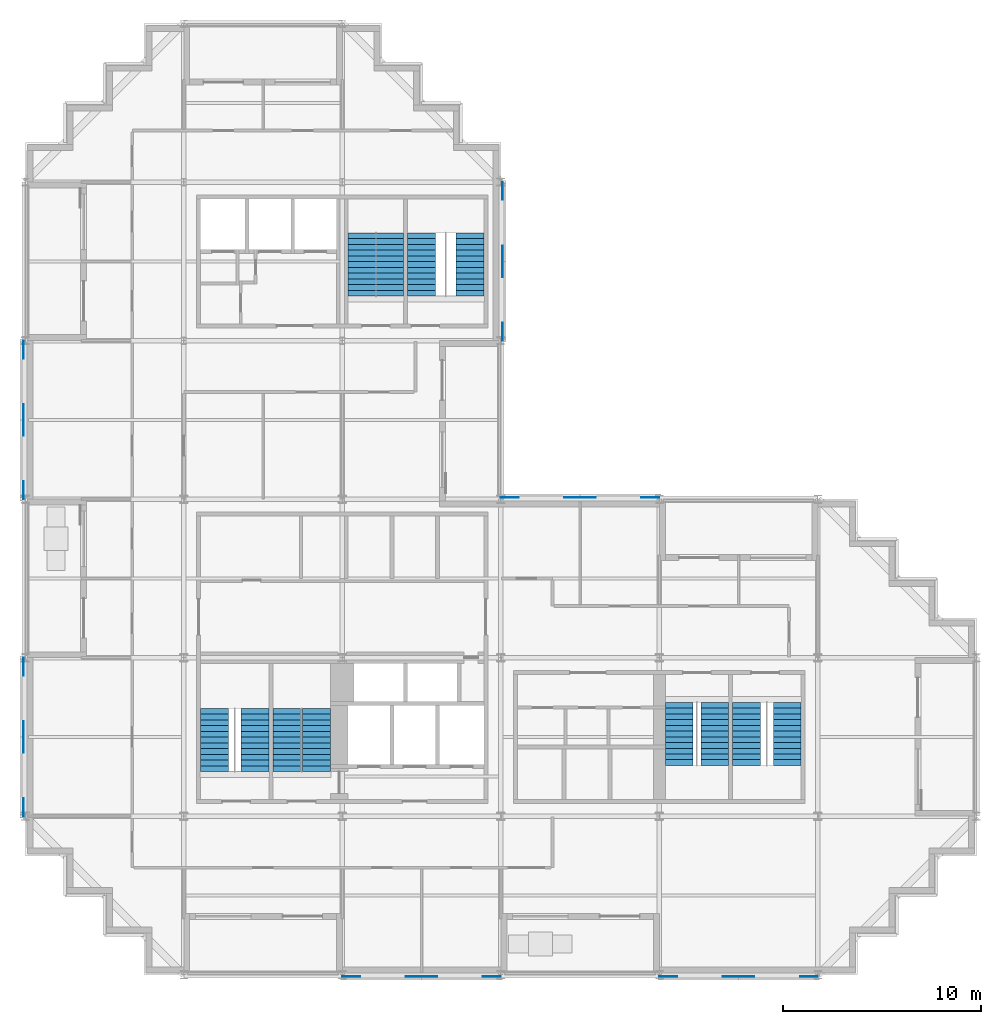
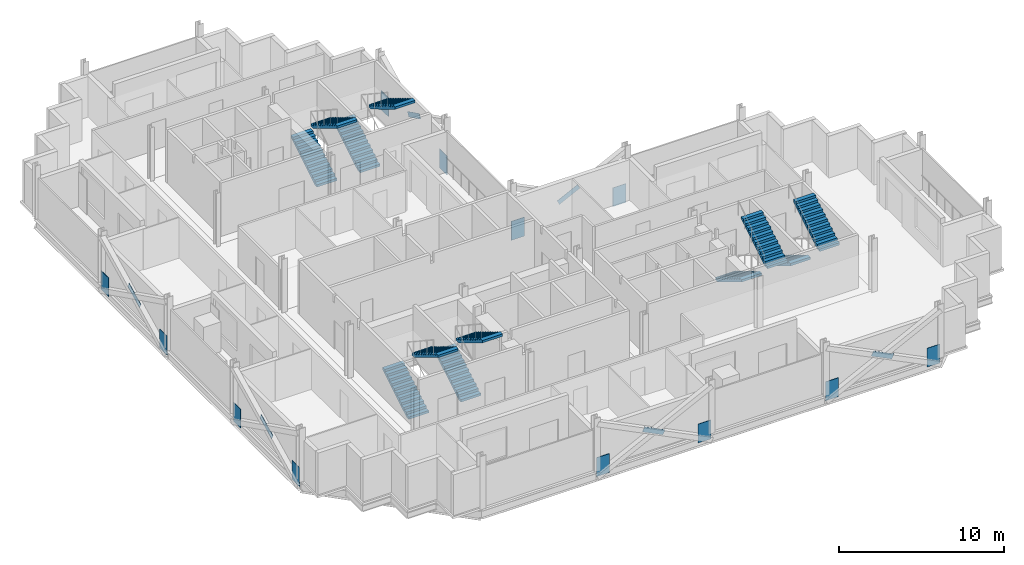
# One storey, part 9 of 12: 18 discrete accessories, 12 stair flights, 6 elements without a shape of their own.
"""IFC4 building model written with IfcOpenShell, lengths in metres."""

from ifc_helpers import new_model, si_unit, direction, frame, origin, origin_2d, place, context, subcontext, project, spatial, polyline, rectangle, outline, extrude, material, material_profile, profile_set, type_object, element, aggregate, save


model = new_model("IFC4")

# Units and contexts
model_context = context("Model", 3, precision=1e-05, world=origin(), true_north=direction((0.0, 1.0)))
body_context = subcontext(model_context, "Body", "Model", "MODEL_VIEW")
ifc_project = project(units=[si_unit("LENGTHUNIT", "METRE"), si_unit("AREAUNIT", "SQUARE_METRE"), si_unit("VOLUMEUNIT", "CUBIC_METRE"), si_unit("PLANEANGLEUNIT", "RADIAN"), si_unit("MASSUNIT", "GRAM", prefix="KILO")], contexts=[model_context])

# Site, building, storey
site_placement = place(None, origin())
site = spatial("IfcSite", under=ifc_project, at=site_placement, CompositionType="ELEMENT")
building_placement = place(site_placement, origin())
building = spatial("IfcBuilding", under=site, at=building_placement, Name="Immortelle Media Tower", CompositionType="ELEMENT")
storey_placement = place(building_placement, frame((0.0, 0.0, 178.800048828125)))
storey = spatial("IfcBuildingStorey", under=building, at=storey_placement, Name="L37", CompositionType="ELEMENT", Elevation=178.800048828125)

# Stair, stair flights
ifc_material_1 = material(Name="Steel ASTM A992 Gr 50", Category="steel")
stair_type = type_object("IfcStairType", Name="Stair with flights", PredefinedType="DOUBLE_RETURN_STAIR", material=ifc_material_1)
stair_1_placement = place(storey_placement, origin())
stair_1 = element("IfcStair", 1, at=stair_1_placement, inside=storey, type_object=stair_type, Name="Exit stair SW1", PredefinedType="DOUBLE_RETURN_STAIR")
stair_flight_type = type_object("IfcStairFlightType", Name="Stair flight 1400", PredefinedType="STRAIGHT", material=ifc_material_1)
stair_flight_1_placement = place(storey_placement, frame((9.550048828125, 10.25, 0.0), z_axis=(0.0, 0.0, 1.0), x_axis=(0.0, 1.0, 0.0)))
stair_flight_1 = element("IfcStairFlight", 2, at=stair_flight_1_placement, type_object=stair_flight_type, Name="ST SW1 flight 1", NumberOfRisers=12, NumberOfTreads=11, PredefinedType="STRAIGHT", RiserHeight=0.175, TreadLength=0.29, context=body_context, shape_type="SweptSolid", body=[
    extrude(outline(polyline([(0.0, 0.0), (0.0, 0.175048828125), (0.2900390625, 0.175048828125), (0.2900390625, 0.35009765625), (0.580078125, 0.35009765625), (0.580078125, 0.52490234375), (0.8701171875, 0.52490234375), (0.8701171875, 0.699951171875), (1.159912109375, 0.699951171875), (1.159912109375, 0.875), (1.449951171875, 0.875), (1.449951171875, 1.050048828125), (1.739990234375, 1.050048828125), (1.739990234375, 1.22509765625), (2.030029296875, 1.22509765625), (2.030029296875, 1.39990234375), (2.320068359375, 1.39990234375), (2.320068359375, 1.574951171875), (2.610107421875, 1.574951171875), (2.610107421875, 1.75), (2.89990234375, 1.75), (2.89990234375, 1.925048828125), (3.18994140625, 1.925048828125), (3.18994140625, 2.10009765625), (3.18994140625, 1.75), (0.2900390625, 0.0), (0.0, 0.0)])), frame((0.0, 0.699951171875, 0.0), z_axis=(0.0, -1.0, 0.0), x_axis=(1.0, 0.0, 0.0)), (0.0, 0.0, 1.0), 1.39990234375),
])
stair_flight_2_placement = place(storey_placement, frame((11.60009765625, 13.43994140625, 2.099853515625), z_axis=(0.0, 0.0, 1.0), x_axis=(0.0, -1.0, 0.0)))
stair_flight_2 = element("IfcStairFlight", 3, at=stair_flight_2_placement, type_object=stair_flight_type, Name="ST SW1 flight 2", NumberOfRisers=12, NumberOfTreads=11, PredefinedType="STRAIGHT", RiserHeight=0.175, TreadLength=0.29, context=body_context, shape_type="SweptSolid", body=[
    extrude(outline(polyline([(0.0, 0.0), (0.0, 0.175048828125), (0.2900390625, 0.175048828125), (0.2900390625, 0.35009765625), (0.580078125, 0.35009765625), (0.580078125, 0.52490234375), (0.8701171875, 0.52490234375), (0.8701171875, 0.699951171875), (1.159912109375, 0.699951171875), (1.159912109375, 0.875), (1.449951171875, 0.875), (1.449951171875, 1.050048828125), (1.739990234375, 1.050048828125), (1.739990234375, 1.22509765625), (2.030029296875, 1.22509765625), (2.030029296875, 1.39990234375), (2.320068359375, 1.39990234375), (2.320068359375, 1.574951171875), (2.610107421875, 1.574951171875), (2.610107421875, 1.75), (2.89990234375, 1.75), (2.89990234375, 1.925048828125), (3.18994140625, 1.925048828125), (3.18994140625, 2.10009765625), (3.18994140625, 1.75), (0.2900390625, 0.0), (0.0, 0.0)])), frame((0.0, 0.699951171875, 0.0), z_axis=(0.0, -1.0, 0.0), x_axis=(1.0, 0.0, 0.0)), (0.0, 0.0, 1.0), 1.39990234375),
])
aggregate(stair_1, [stair_flight_1, stair_flight_2])

stair_2_placement = place(storey_placement, origin())
stair_2 = element("IfcStair", 4, at=stair_2_placement, inside=storey, type_object=stair_type, Name="Exit stair SW2", PredefinedType="DOUBLE_RETURN_STAIR")
stair_flight_3_placement = place(storey_placement, frame((13.199951171875, 10.25, 0.0), z_axis=(0.0, 0.0, 1.0), x_axis=(0.0, 1.0, 0.0)))
stair_flight_3 = element("IfcStairFlight", 5, at=stair_flight_3_placement, type_object=stair_flight_type, Name="ST SW2 flight 1", NumberOfRisers=12, NumberOfTreads=11, PredefinedType="STRAIGHT", RiserHeight=0.175, TreadLength=0.29, context=body_context, shape_type="SweptSolid", body=[
    extrude(outline(polyline([(0.0, 0.0), (0.0, 0.175048828125), (0.2900390625, 0.175048828125), (0.2900390625, 0.35009765625), (0.580078125, 0.35009765625), (0.580078125, 0.52490234375), (0.8701171875, 0.52490234375), (0.8701171875, 0.699951171875), (1.159912109375, 0.699951171875), (1.159912109375, 0.875), (1.449951171875, 0.875), (1.449951171875, 1.050048828125), (1.739990234375, 1.050048828125), (1.739990234375, 1.22509765625), (2.030029296875, 1.22509765625), (2.030029296875, 1.39990234375), (2.320068359375, 1.39990234375), (2.320068359375, 1.574951171875), (2.610107421875, 1.574951171875), (2.610107421875, 1.75), (2.89990234375, 1.75), (2.89990234375, 1.925048828125), (3.18994140625, 1.925048828125), (3.18994140625, 2.10009765625), (3.18994140625, 1.75), (0.2900390625, 0.0), (0.0, 0.0)])), frame((0.0, 0.699951171875, 0.0), z_axis=(0.0, -1.0, 0.0), x_axis=(1.0, 0.0, 0.0)), (0.0, 0.0, 1.0), 1.39990234375),
])
stair_flight_4_placement = place(storey_placement, frame((14.699951171875, 13.43994140625, 2.099853515625), z_axis=(0.0, 0.0, 1.0), x_axis=(0.0, -1.0, 0.0)))
stair_flight_4 = element("IfcStairFlight", 6, at=stair_flight_4_placement, type_object=stair_flight_type, Name="ST SW2 flight 2", NumberOfRisers=12, NumberOfTreads=11, PredefinedType="STRAIGHT", RiserHeight=0.175, TreadLength=0.29, context=body_context, shape_type="SweptSolid", body=[
    extrude(outline(polyline([(0.0, 0.0), (0.0, 0.175048828125), (0.2900390625, 0.175048828125), (0.2900390625, 0.35009765625), (0.580078125, 0.35009765625), (0.580078125, 0.52490234375), (0.8701171875, 0.52490234375), (0.8701171875, 0.699951171875), (1.159912109375, 0.699951171875), (1.159912109375, 0.875), (1.449951171875, 0.875), (1.449951171875, 1.050048828125), (1.739990234375, 1.050048828125), (1.739990234375, 1.22509765625), (2.030029296875, 1.22509765625), (2.030029296875, 1.39990234375), (2.320068359375, 1.39990234375), (2.320068359375, 1.574951171875), (2.610107421875, 1.574951171875), (2.610107421875, 1.75), (2.89990234375, 1.75), (2.89990234375, 1.925048828125), (3.18994140625, 1.925048828125), (3.18994140625, 2.10009765625), (3.18994140625, 1.75), (0.2900390625, 0.0), (0.0, 0.0)])), frame((0.0, 0.699951171875, 0.0), z_axis=(0.0, -1.0, 0.0), x_axis=(1.0, 0.0, 0.0)), (0.0, 0.0, 1.0), 1.39990234375),
])
aggregate(stair_2, [stair_flight_3, stair_flight_4])

stair_3_placement = place(storey_placement, origin())
stair_3 = element("IfcStair", 7, at=stair_3_placement, inside=storey, type_object=stair_type, Name="Exit stair SE1", PredefinedType="DOUBLE_RETURN_STAIR")
stair_flight_5_placement = place(storey_placement, frame((33.0, 13.75, 0.0), z_axis=(0.0, 0.0, 1.0), x_axis=(0.0, -1.0, 0.0)))
stair_flight_5 = element("IfcStairFlight", 8, at=stair_flight_5_placement, type_object=stair_flight_type, Name="ST SE1 flight 1", NumberOfRisers=12, NumberOfTreads=11, PredefinedType="STRAIGHT", RiserHeight=0.175, TreadLength=0.29, context=body_context, shape_type="SweptSolid", body=[
    extrude(outline(polyline([(0.0, 0.0), (0.0, 0.175048828125), (0.2900390625, 0.175048828125), (0.2900390625, 0.35009765625), (0.580078125, 0.35009765625), (0.580078125, 0.52490234375), (0.8701171875, 0.52490234375), (0.8701171875, 0.699951171875), (1.159912109375, 0.699951171875), (1.159912109375, 0.875), (1.449951171875, 0.875), (1.449951171875, 1.050048828125), (1.739990234375, 1.050048828125), (1.739990234375, 1.22509765625), (2.030029296875, 1.22509765625), (2.030029296875, 1.39990234375), (2.320068359375, 1.39990234375), (2.320068359375, 1.574951171875), (2.610107421875, 1.574951171875), (2.610107421875, 1.75), (2.89990234375, 1.75), (2.89990234375, 1.925048828125), (3.18994140625, 1.925048828125), (3.18994140625, 2.10009765625), (3.18994140625, 1.75), (0.2900390625, 0.0), (0.0, 0.0)])), frame((0.0, 0.699951171875, 0.0), z_axis=(0.0, -1.0, 0.0), x_axis=(1.0, 0.0, 0.0)), (0.0, 0.0, 1.0), 1.39990234375),
])
stair_flight_6_placement = place(storey_placement, frame((34.800048828125, 10.56005859375, 2.099853515625), z_axis=(0.0, 0.0, 1.0), x_axis=(0.0, 1.0, 0.0)))
stair_flight_6 = element("IfcStairFlight", 9, at=stair_flight_6_placement, type_object=stair_flight_type, Name="ST SE1 flight 2", NumberOfRisers=12, NumberOfTreads=11, PredefinedType="STRAIGHT", RiserHeight=0.175, TreadLength=0.29, context=body_context, shape_type="SweptSolid", body=[
    extrude(outline(polyline([(0.0, 0.0), (0.0, 0.175048828125), (0.2900390625, 0.175048828125), (0.2900390625, 0.35009765625), (0.580078125, 0.35009765625), (0.580078125, 0.52490234375), (0.8701171875, 0.52490234375), (0.8701171875, 0.699951171875), (1.159912109375, 0.699951171875), (1.159912109375, 0.875), (1.449951171875, 0.875), (1.449951171875, 1.050048828125), (1.739990234375, 1.050048828125), (1.739990234375, 1.22509765625), (2.030029296875, 1.22509765625), (2.030029296875, 1.39990234375), (2.320068359375, 1.39990234375), (2.320068359375, 1.574951171875), (2.610107421875, 1.574951171875), (2.610107421875, 1.75), (2.89990234375, 1.75), (2.89990234375, 1.925048828125), (3.18994140625, 1.925048828125), (3.18994140625, 2.10009765625), (3.18994140625, 1.75), (0.2900390625, 0.0), (0.0, 0.0)])), frame((0.0, 0.699951171875, 0.0), z_axis=(0.0, -1.0, 0.0), x_axis=(1.0, 0.0, 0.0)), (0.0, 0.0, 1.0), 1.39990234375),
])
aggregate(stair_3, [stair_flight_5, stair_flight_6])

stair_4_placement = place(storey_placement, origin())
stair_4 = element("IfcStair", 10, at=stair_4_placement, inside=storey, type_object=stair_type, Name="Exit stair SE2", PredefinedType="DOUBLE_RETURN_STAIR")
stair_flight_7_placement = place(storey_placement, frame((36.39990234375, 13.75, 0.0), z_axis=(0.0, 0.0, 1.0), x_axis=(0.0, -1.0, 0.0)))
stair_flight_7 = element("IfcStairFlight", 11, at=stair_flight_7_placement, type_object=stair_flight_type, Name="ST SE2 flight 1", NumberOfRisers=12, NumberOfTreads=11, PredefinedType="STRAIGHT", RiserHeight=0.175, TreadLength=0.29, context=body_context, shape_type="SweptSolid", body=[
    extrude(outline(polyline([(0.0, 0.0), (0.0, 0.175048828125), (0.2900390625, 0.175048828125), (0.2900390625, 0.35009765625), (0.580078125, 0.35009765625), (0.580078125, 0.52490234375), (0.8701171875, 0.52490234375), (0.8701171875, 0.699951171875), (1.159912109375, 0.699951171875), (1.159912109375, 0.875), (1.449951171875, 0.875), (1.449951171875, 1.050048828125), (1.739990234375, 1.050048828125), (1.739990234375, 1.22509765625), (2.030029296875, 1.22509765625), (2.030029296875, 1.39990234375), (2.320068359375, 1.39990234375), (2.320068359375, 1.574951171875), (2.610107421875, 1.574951171875), (2.610107421875, 1.75), (2.89990234375, 1.75), (2.89990234375, 1.925048828125), (3.18994140625, 1.925048828125), (3.18994140625, 2.10009765625), (3.18994140625, 1.75), (0.2900390625, 0.0), (0.0, 0.0)])), frame((0.0, 0.699951171875, 0.0), z_axis=(0.0, -1.0, 0.0), x_axis=(1.0, 0.0, 0.0)), (0.0, 0.0, 1.0), 1.39990234375),
])
stair_flight_8_placement = place(storey_placement, frame((38.449951171875, 10.56005859375, 2.099853515625), z_axis=(0.0, 0.0, 1.0), x_axis=(0.0, 1.0, 0.0)))
stair_flight_8 = element("IfcStairFlight", 12, at=stair_flight_8_placement, type_object=stair_flight_type, Name="ST SE2 flight 2", NumberOfRisers=12, NumberOfTreads=11, PredefinedType="STRAIGHT", RiserHeight=0.175, TreadLength=0.29, context=body_context, shape_type="SweptSolid", body=[
    extrude(outline(polyline([(0.0, 0.0), (0.0, 0.175048828125), (0.2900390625, 0.175048828125), (0.2900390625, 0.35009765625), (0.580078125, 0.35009765625), (0.580078125, 0.52490234375), (0.8701171875, 0.52490234375), (0.8701171875, 0.699951171875), (1.159912109375, 0.699951171875), (1.159912109375, 0.875), (1.449951171875, 0.875), (1.449951171875, 1.050048828125), (1.739990234375, 1.050048828125), (1.739990234375, 1.22509765625), (2.030029296875, 1.22509765625), (2.030029296875, 1.39990234375), (2.320068359375, 1.39990234375), (2.320068359375, 1.574951171875), (2.610107421875, 1.574951171875), (2.610107421875, 1.75), (2.89990234375, 1.75), (2.89990234375, 1.925048828125), (3.18994140625, 1.925048828125), (3.18994140625, 2.10009765625), (3.18994140625, 1.75), (0.2900390625, 0.0), (0.0, 0.0)])), frame((0.0, 0.699951171875, 0.0), z_axis=(0.0, -1.0, 0.0), x_axis=(1.0, 0.0, 0.0)), (0.0, 0.0, 1.0), 1.39990234375),
])
aggregate(stair_4, [stair_flight_7, stair_flight_8])

stair_5_placement = place(storey_placement, origin())
stair_5 = element("IfcStair", 13, at=stair_5_placement, inside=storey, type_object=stair_type, Name="Exit stair NW1", PredefinedType="DOUBLE_RETURN_STAIR")
stair_flight_9_placement = place(storey_placement, frame((17.0, 34.25, 0.0), z_axis=(0.0, 0.0, 1.0), x_axis=(0.0, 1.0, 0.0)))
stair_flight_9 = element("IfcStairFlight", 14, at=stair_flight_9_placement, type_object=stair_flight_type, Name="ST NW1 flight 1", NumberOfRisers=12, NumberOfTreads=11, PredefinedType="STRAIGHT", RiserHeight=0.175, TreadLength=0.29, context=body_context, shape_type="SweptSolid", body=[
    extrude(outline(polyline([(0.0, 0.0), (0.0, 0.175048828125), (0.2900390625, 0.175048828125), (0.2900390625, 0.35009765625), (0.580078125, 0.35009765625), (0.580078125, 0.52490234375), (0.8701171875, 0.52490234375), (0.8701171875, 0.699951171875), (1.159912109375, 0.699951171875), (1.159912109375, 0.875), (1.449951171875, 0.875), (1.449951171875, 1.050048828125), (1.739990234375, 1.050048828125), (1.739990234375, 1.22509765625), (2.030029296875, 1.22509765625), (2.030029296875, 1.39990234375), (2.320068359375, 1.39990234375), (2.320068359375, 1.574951171875), (2.610107421875, 1.574951171875), (2.610107421875, 1.75), (2.89990234375, 1.75), (2.89990234375, 1.925048828125), (3.18994140625, 1.925048828125), (3.18994140625, 2.10009765625), (3.18994140625, 1.75), (0.2900390625, 0.0), (0.0, 0.0)])), frame((0.0, 0.699951171875, 0.0), z_axis=(0.0, -1.0, 0.0), x_axis=(1.0, 0.0, 0.0)), (0.0, 0.0, 1.0), 1.39990234375),
])
stair_flight_10_placement = place(storey_placement, frame((18.39990234375, 37.43994140625, 2.099853515625), z_axis=(0.0, 0.0, 1.0), x_axis=(0.0, -1.0, 0.0)))
stair_flight_10 = element("IfcStairFlight", 15, at=stair_flight_10_placement, type_object=stair_flight_type, Name="ST NW1 flight 2", NumberOfRisers=12, NumberOfTreads=11, PredefinedType="STRAIGHT", RiserHeight=0.175, TreadLength=0.29, context=body_context, shape_type="SweptSolid", body=[
    extrude(outline(polyline([(0.0, 0.0), (0.0, 0.175048828125), (0.2900390625, 0.175048828125), (0.2900390625, 0.35009765625), (0.580078125, 0.35009765625), (0.580078125, 0.52490234375), (0.8701171875, 0.52490234375), (0.8701171875, 0.699951171875), (1.159912109375, 0.699951171875), (1.159912109375, 0.875), (1.449951171875, 0.875), (1.449951171875, 1.050048828125), (1.739990234375, 1.050048828125), (1.739990234375, 1.22509765625), (2.030029296875, 1.22509765625), (2.030029296875, 1.39990234375), (2.320068359375, 1.39990234375), (2.320068359375, 1.574951171875), (2.610107421875, 1.574951171875), (2.610107421875, 1.75), (2.89990234375, 1.75), (2.89990234375, 1.925048828125), (3.18994140625, 1.925048828125), (3.18994140625, 2.10009765625), (3.18994140625, 1.75), (0.2900390625, 0.0), (0.0, 0.0)])), frame((0.0, 0.699951171875, 0.0), z_axis=(0.0, -1.0, 0.0), x_axis=(1.0, 0.0, 0.0)), (0.0, 0.0, 1.0), 1.39990234375),
])
aggregate(stair_5, [stair_flight_9, stair_flight_10])

stair_6_placement = place(storey_placement, origin())
stair_6 = element("IfcStair", 16, at=stair_6_placement, inside=storey, type_object=stair_type, Name="Exit stair NW2", PredefinedType="DOUBLE_RETURN_STAIR")
stair_flight_11_placement = place(storey_placement, frame((20.0, 34.25, 0.0), z_axis=(0.0, 0.0, 1.0), x_axis=(0.0, 1.0, 0.0)))
stair_flight_11 = element("IfcStairFlight", 17, at=stair_flight_11_placement, type_object=stair_flight_type, Name="ST NW2 flight 1", NumberOfRisers=12, NumberOfTreads=11, PredefinedType="STRAIGHT", RiserHeight=0.175, TreadLength=0.29, context=body_context, shape_type="SweptSolid", body=[
    extrude(outline(polyline([(0.0, 0.0), (0.0, 0.175048828125), (0.2900390625, 0.175048828125), (0.2900390625, 0.35009765625), (0.580078125, 0.35009765625), (0.580078125, 0.52490234375), (0.8701171875, 0.52490234375), (0.8701171875, 0.699951171875), (1.159912109375, 0.699951171875), (1.159912109375, 0.875), (1.449951171875, 0.875), (1.449951171875, 1.050048828125), (1.739990234375, 1.050048828125), (1.739990234375, 1.22509765625), (2.030029296875, 1.22509765625), (2.030029296875, 1.39990234375), (2.320068359375, 1.39990234375), (2.320068359375, 1.574951171875), (2.610107421875, 1.574951171875), (2.610107421875, 1.75), (2.89990234375, 1.75), (2.89990234375, 1.925048828125), (3.18994140625, 1.925048828125), (3.18994140625, 2.10009765625), (3.18994140625, 1.75), (0.2900390625, 0.0), (0.0, 0.0)])), frame((0.0, 0.699951171875, 0.0), z_axis=(0.0, -1.0, 0.0), x_axis=(1.0, 0.0, 0.0)), (0.0, 0.0, 1.0), 1.39990234375),
])
stair_flight_12_placement = place(storey_placement, frame((22.449951171875, 37.43994140625, 2.099853515625), z_axis=(0.0, 0.0, 1.0), x_axis=(0.0, -1.0, 0.0)))
stair_flight_12 = element("IfcStairFlight", 18, at=stair_flight_12_placement, type_object=stair_flight_type, Name="ST NW2 flight 2", NumberOfRisers=12, NumberOfTreads=11, PredefinedType="STRAIGHT", RiserHeight=0.175, TreadLength=0.29, context=body_context, shape_type="SweptSolid", body=[
    extrude(outline(polyline([(0.0, 0.0), (0.0, 0.175048828125), (0.2900390625, 0.175048828125), (0.2900390625, 0.35009765625), (0.580078125, 0.35009765625), (0.580078125, 0.52490234375), (0.8701171875, 0.52490234375), (0.8701171875, 0.699951171875), (1.159912109375, 0.699951171875), (1.159912109375, 0.875), (1.449951171875, 0.875), (1.449951171875, 1.050048828125), (1.739990234375, 1.050048828125), (1.739990234375, 1.22509765625), (2.030029296875, 1.22509765625), (2.030029296875, 1.39990234375), (2.320068359375, 1.39990234375), (2.320068359375, 1.574951171875), (2.610107421875, 1.574951171875), (2.610107421875, 1.75), (2.89990234375, 1.75), (2.89990234375, 1.925048828125), (3.18994140625, 1.925048828125), (3.18994140625, 2.10009765625), (3.18994140625, 1.75), (0.2900390625, 0.0), (0.0, 0.0)])), frame((0.0, 0.699951171875, 0.0), z_axis=(0.0, -1.0, 0.0), x_axis=(1.0, 0.0, 0.0)), (0.0, 0.0, 1.0), 1.39990234375),
])
aggregate(stair_6, [stair_flight_11, stair_flight_12])

# Discrete accessories
ifc_material_2 = material(Name="Steel ASTM A572 Gr 50", Category="steel")
ifc_material_profile_1 = material_profile(ifc_material_2, rectangle(XDim=0.02392578125, YDim=0.35595703125, at=origin_2d()), Name="PL 24 x 356")
ifc_profile_set_1 = profile_set([ifc_material_profile_1], Name="Steel ASTM A572 Gr 50")
discrete_accessory_type_1 = type_object("IfcDiscreteAccessoryType", Name="Crossing plate XP-BR5 1600 x 356 x 24", PredefinedType="USERDEFINED", material=ifc_profile_set_1)
for number, where, z_axis, x_axis, name in (
    (19, (28.71630859375, 24.087890625, 1.88818359375), (-0.895462469784, 0.0, -0.445137018466), (0.0, -1.0, 0.0), "Crossing plate XP-BR5 of Brace D/4-5 A and Brace D/4-5 B"),
    (20, (24.087890625, 35.28369140625, 1.88818359375), (0.0, 0.895462469784, -0.445137018466), (-1.0, 0.0, 0.0), "Crossing plate XP-BR5 of Brace 4/E-F A and Brace 4/E-F B"),
    (21, (-0.087890625, 28.71630859375, 1.88818359375), (0.0, -0.895462469784, -0.445137018466), (1.0, 0.0, 0.0), "Crossing plate XP-BR5 of Brace 1/D-E A and Brace 1/D-E B"),
    (22, (-0.087890625, 12.71630859375, 1.88818359375), (0.0, -0.895462469784, -0.445137018466), (1.0, 0.0, 0.0), "Crossing plate XP-BR5 of Brace 1/B-C A and Brace 1/B-C B"),
    (23, (19.28369140625, -0.087890625, 1.88818359375), (0.895462469784, 0.0, -0.445137018466), (0.0, 1.0, 0.0), "Crossing plate XP-BR5 of Brace A/3-4 A and Brace A/3-4 B"),
    (24, (35.28369140625, -0.087890625, 1.88818359375), (0.895462469784, 0.0, -0.445137018466), (0.0, 1.0, 0.0), "Crossing plate XP-BR5 of Brace A/5-6 A and Brace A/5-6 B"),
):
    element("IfcDiscreteAccessory", number, at=place(storey_placement, frame(where, z_axis=z_axis, x_axis=x_axis)), inside=storey, type_object=discrete_accessory_type_1, Name=name, ObjectType="CROSSING PLATE", PredefinedType="USERDEFINED", context=body_context, shape_type="SweptSolid", body=[
        extrude(rectangle(XDim=0.02392578125, YDim=0.35595703125, at=origin_2d()), origin(), (0.0, 0.0, 1.0), 1.599853515625),
    ])
ifc_material_profile_2 = material_profile(ifc_material_2, rectangle(XDim=0.031982421875, YDim=1.39990234375, at=origin_2d()), Name="PL 32 x 1400")
ifc_profile_set_2 = profile_set([ifc_material_profile_2], Name="Steel ASTM A572 Gr 50")
discrete_accessory_type_2 = type_object("IfcDiscreteAccessoryType", Name="Gusset plate GP1 900 x 1400 x 32", PredefinedType="USERDEFINED", material=ifc_profile_set_2)
for number, where, z_axis, x_axis, name in (
    (25, (16.0, -0.087890625, 0.243896484375), (1.0, 0.0, 0.0), (0.0, 1.0, 0.0), "Gusset plate GP1, lower end of Brace A/3-4 A"),
    (26, (24.0, -0.087890625, 0.243896484375), (-1.0, 0.0, 0.0), (0.0, -1.0, 0.0), "Gusset plate GP1, lower end of Brace A/3-4 B"),
    (27, (32.0, -0.087890625, 0.243896484375), (1.0, 0.0, 0.0), (0.0, 1.0, 0.0), "Gusset plate GP1, lower end of Brace A/5-6 A"),
    (28, (40.0, -0.087890625, 0.243896484375), (-1.0, 0.0, 0.0), (0.0, -1.0, 0.0), "Gusset plate GP1, lower end of Brace A/5-6 B"),
    (29, (32.0, 24.087890625, 0.243896484375), (-1.0, 0.0, 0.0), (0.0, -1.0, 0.0), "Gusset plate GP1, lower end of Brace D/4-5 A"),
    (30, (24.0, 24.087890625, 0.243896484375), (1.0, 0.0, 0.0), (0.0, 1.0, 0.0), "Gusset plate GP1, lower end of Brace D/4-5 B"),
    (31, (24.087890625, 32.0, 0.243896484375), (0.0, 1.0, 0.0), (-1.0, 0.0, 0.0), "Gusset plate GP1, lower end of Brace 4/E-F A"),
    (32, (24.087890625, 40.0, 0.243896484375), (0.0, -1.0, 0.0), (1.0, 0.0, 0.0), "Gusset plate GP1, lower end of Brace 4/E-F B"),
    (33, (-0.087890625, 32.0, 0.243896484375), (0.0, -1.0, 0.0), (1.0, 0.0, 0.0), "Gusset plate GP1, lower end of Brace 1/D-E A"),
    (34, (-0.087890625, 24.0, 0.243896484375), (0.0, 1.0, 0.0), (-1.0, 0.0, 0.0), "Gusset plate GP1, lower end of Brace 1/D-E B"),
    (35, (-0.087890625, 16.0, 0.243896484375), (0.0, -1.0, 0.0), (1.0, 0.0, 0.0), "Gusset plate GP1, lower end of Brace 1/B-C A"),
    (36, (-0.087890625, 8.0, 0.243896484375), (0.0, 1.0, 0.0), (-1.0, 0.0, 0.0), "Gusset plate GP1, lower end of Brace 1/B-C B"),
):
    element("IfcDiscreteAccessory", number, at=place(storey_placement, frame(where, z_axis=z_axis, x_axis=x_axis)), inside=storey, type_object=discrete_accessory_type_2, Name=name, ObjectType="GUSSET PLATE", PredefinedType="USERDEFINED", context=body_context, shape_type="SweptSolid", body=[
        extrude(rectangle(XDim=0.031982421875, YDim=1.39990234375, at=origin_2d()), origin(), (0.0, 0.0, 1.0), 0.89990234375),
    ])

save(model, "model.ifc")
